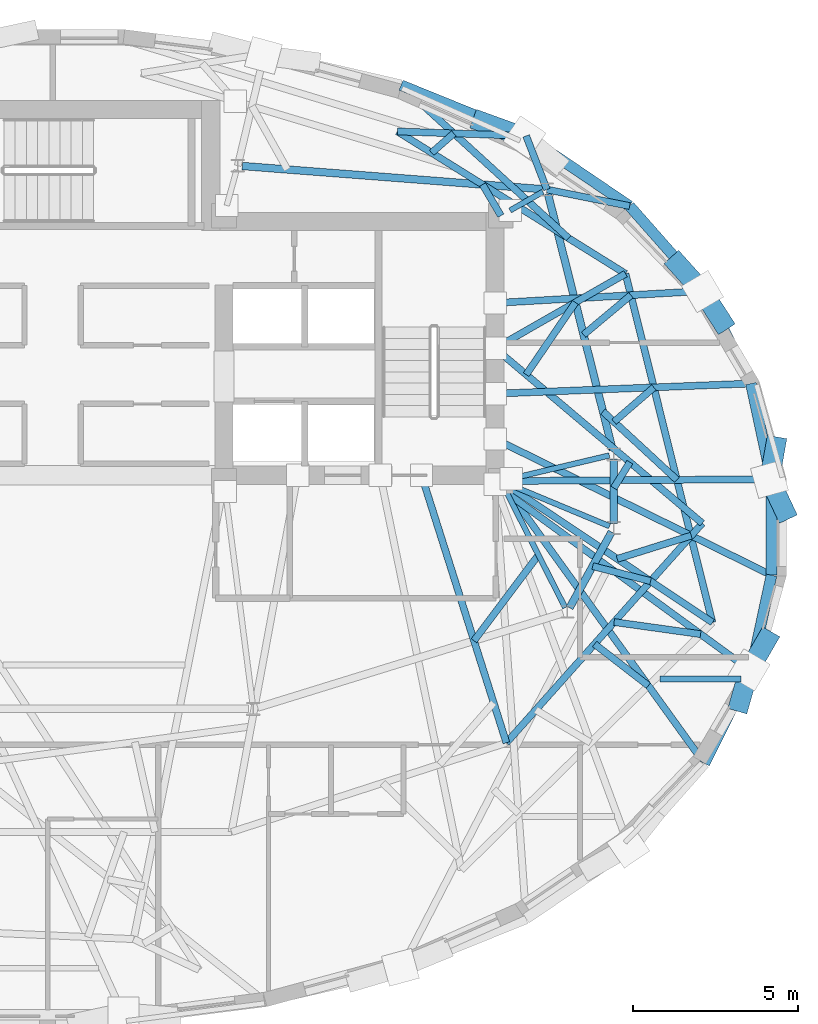
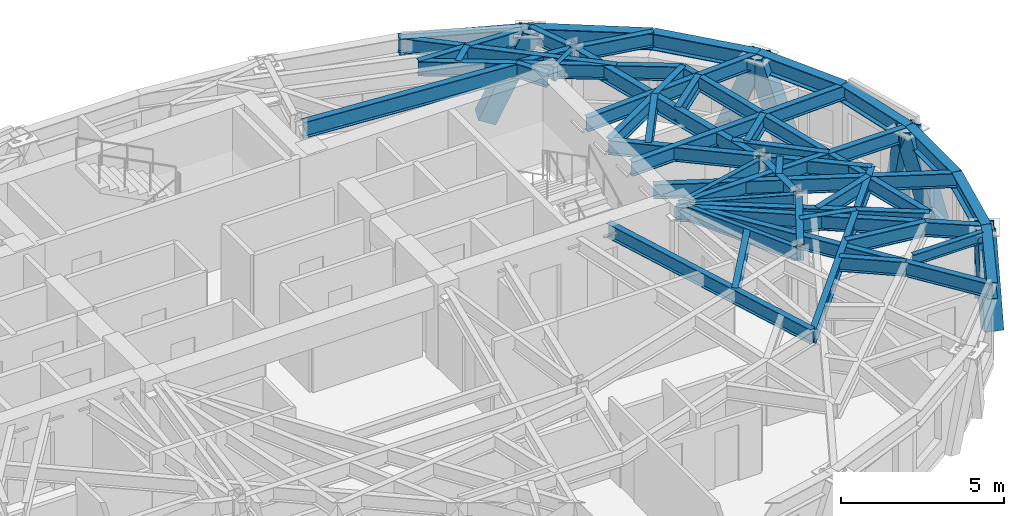
# One storey, part 4 of 13: 46 beams, 7 members.
"""IFC4 building model written with IfcOpenShell, lengths in metres."""

from ifc_helpers import new_model, si_unit, direction, frame, origin, origin_2d, place, context, subcontext, project, spatial, hollow_rectangle, i_section, extrude, material, material_profile, profile_set, type_object, element, save


model = new_model("IFC4")

# Units and contexts
model_context = context("Model", 3, precision=1e-05, world=origin(), true_north=direction((0.0, 1.0)))
body_context = subcontext(model_context, "Body", "Model", "MODEL_VIEW")
ifc_project = project(units=[si_unit("LENGTHUNIT", "METRE"), si_unit("AREAUNIT", "SQUARE_METRE"), si_unit("VOLUMEUNIT", "CUBIC_METRE"), si_unit("PLANEANGLEUNIT", "RADIAN"), si_unit("MASSUNIT", "GRAM", prefix="KILO")], contexts=[model_context])

# Site, building, storey
site_placement = place(None, origin())
site = spatial("IfcSite", under=ifc_project, at=site_placement, CompositionType="ELEMENT")
building_placement = place(site_placement, origin())
building = spatial("IfcBuilding", under=site, at=building_placement, Name="Keldmark Tower", CompositionType="ELEMENT")
storey_placement = place(building_placement, frame((0.0, 0.0, 232.050048828125)))
storey = spatial("IfcBuildingStorey", under=building, at=storey_placement, Name="L65", CompositionType="ELEMENT", Elevation=232.050048828125)

# Beam
ifc_material_1 = material(Name="Steel ASTM A992 Grade 50", Category="steel")
ifc_material_profile_1 = material_profile(ifc_material_1, i_section(OverallWidth=0.177978515625, OverallDepth=0.403076171875, WebThickness=0.007568359375, FlangeThickness=0.010986328125, at=origin_2d()), Name="W16X36")
ifc_profile_set_1 = profile_set([ifc_material_profile_1], Name="Steel ASTM A992 Grade 50")
beam_type_1 = type_object("IfcBeamType", Name="Composite Floor Joist W16X36", PredefinedType="JOIST", material=ifc_profile_set_1)
beam_1_placement = place(storey_placement, frame((18.422607421875, -4.60009765625, 2.7685546875), z_axis=(1.0, 0.0, 0.0), x_axis=(0.0, 1.0, 0.0)))
element("IfcBeam", 1, at=beam_1_placement, inside=storey, type_object=beam_type_1, Name="L65 Composite Floor Joist J05", PredefinedType="JOIST", context=body_context, shape_type="SweptSolid", body=[
    extrude(i_section(OverallWidth=0.177978515625, OverallDepth=0.403076171875, WebThickness=0.007568359375, FlangeThickness=0.010986328125, at=origin_2d()), origin(), (0.0, 0.0, 1.0), 2.466796875),
])

# Members
ifc_material_2 = material(Name="Steel ASTM A572 Grade 50", Category="steel")
ifc_material_profile_2 = material_profile(ifc_material_2, hollow_rectangle(XDim=0.60009765625, YDim=0.60009765625, WallThickness=0.034912109375, at=origin_2d()), Name="BOX600X600X35")
ifc_profile_set_2 = profile_set([ifc_material_profile_2], Name="Steel ASTM A572 Grade 50")
member_type = type_object("IfcMemberType", Name="Diagrid Zone 4 Brace BOX600X600X35", PredefinedType="BRACE", material=ifc_profile_set_2)
member_1_placement = place(storey_placement, frame((21.9287109375, 2.455810546875, -0.260009765625), z_axis=(-0.054747909819, -0.307080578642, 0.950107459497), x_axis=(0.984476308416, -0.175517515273, 0.0)))
element("IfcMember", 2, at=member_1_placement, inside=storey, type_object=member_type, Name="L65 Perimeter Diagrid Brace 01A", PredefinedType="BRACE", context=body_context, shape_type="SweptSolid", body=[
    extrude(hollow_rectangle(XDim=0.60009765625, YDim=0.60009765625, WallThickness=0.034912109375, at=origin_2d()), origin(), (0.0, 0.0, 1.0), 3.273193359375),
])
member_2_placement = place(storey_placement, frame((20.3017578125, 6.241455078125, -0.260009765625), z_axis=(-0.177536205333, 0.27594495407, 0.944634997298), x_axis=(-0.840980150857, -0.541065971823, 0.0)))
element("IfcMember", 3, at=member_2_placement, inside=storey, type_object=member_type, Name="L65 Perimeter Diagrid Brace 01B", PredefinedType="BRACE", context=body_context, shape_type="SweptSolid", body=[
    extrude(hollow_rectangle(XDim=0.60009765625, YDim=0.60009765625, WallThickness=0.034912109375, at=origin_2d()), origin(), (0.0, 0.0, 1.0), 3.292236328125),
])
member_3_placement = place(storey_placement, frame((18.958251953125, 7.98828125, -0.260009765625), z_axis=(0.230438966078, -0.256379009589, 0.938705324559), x_axis=(0.743729809907, 0.668480343656, 0.0)))
element("IfcMember", 4, at=member_3_placement, inside=storey, type_object=member_type, Name="L65 Perimeter Diagrid Brace 02A", PredefinedType="BRACE", context=body_context, shape_type="SweptSolid", body=[
    extrude(hollow_rectangle(XDim=0.60009765625, YDim=0.60009765625, WallThickness=0.034912109375, at=origin_2d()), origin(), (0.0, 0.0, 1.0), 3.31298828125),
])
member_4_placement = place(storey_placement, frame((13.013916015625, 12.30029296875, -0.260009765625), z_axis=(0.3853766859, -0.139844048228, 0.912101119471), x_axis=(0.341111913508, 0.940022692525, 0.0)))
element("IfcMember", 5, at=member_4_placement, inside=storey, type_object=member_type, Name="L65 Perimeter Diagrid Brace 03A", PredefinedType="BRACE", context=body_context, shape_type="SweptSolid", body=[
    extrude(hollow_rectangle(XDim=0.60009765625, YDim=0.60009765625, WallThickness=0.034912109375, at=origin_2d()), origin(), (0.0, 0.0, 1.0), 3.40966796875),
])
member_5_placement = place(storey_placement, frame((20.849853515625, -5.306884765625, -0.260009765625), z_axis=(0.086104928062, 0.298755746934, 0.950437238873), x_axis=(-0.960887473413, 0.276939096983, 0.0)))
element("IfcMember", 6, at=member_5_placement, inside=storey, type_object=member_type, Name="L65 Perimeter Diagrid Brace 15B", PredefinedType="BRACE", context=body_context, shape_type="SweptSolid", body=[
    extrude(hollow_rectangle(XDim=0.60009765625, YDim=0.60009765625, WallThickness=0.034912109375, at=origin_2d()), origin(), (0.0, 0.0, 1.0), 3.27197265625),
])
member_6_placement = place(storey_placement, frame((21.659912109375, -3.419189453125, -0.260009765625), z_axis=(-0.162076790488, -0.280180409589, 0.946165974905), x_axis=(0.865604293253, -0.500728676532, 0.0)))
element("IfcMember", 7, at=member_6_placement, inside=storey, type_object=member_type, Name="L65 Perimeter Diagrid Brace 16A", PredefinedType="BRACE", context=body_context, shape_type="SweptSolid", body=[
    extrude(hollow_rectangle(XDim=0.60009765625, YDim=0.60009765625, WallThickness=0.034912109375, at=origin_2d()), origin(), (0.0, 0.0, 1.0), 3.286865234375),
])
member_7_placement = place(storey_placement, frame((22.19970703125, 0.50146484375, -0.260009765625), z_axis=(-0.13700703102, 0.292440170333, 0.9464184171), x_axis=(-0.905547333127, -0.424245244483, 0.0)))
element("IfcMember", 8, at=member_7_placement, inside=storey, type_object=member_type, Name="L65 Perimeter Diagrid Brace 16B", PredefinedType="BRACE", context=body_context, shape_type="SweptSolid", body=[
    extrude(hollow_rectangle(XDim=0.60009765625, YDim=0.60009765625, WallThickness=0.034912109375, at=origin_2d()), origin(), (0.0, 0.0, 1.0), 3.285888671875),
])

# Beams
ifc_material_3 = material(Name="Steel ASTM A992 Grade 50", Category="steel")
ifc_material_profile_3 = material_profile(ifc_material_3, i_section(OverallWidth=0.22802734375, OverallDepth=0.60302734375, WebThickness=0.010498046875, FlangeThickness=0.014892578125, at=origin_2d()), Name="W24X68")
ifc_profile_set_3 = profile_set([ifc_material_profile_3], Name="Steel ASTM A992 Grade 50")
beam_type_2 = type_object("IfcBeamType", Name="Primary Floor Girder W24X68", PredefinedType="BEAM", material=ifc_profile_set_3)
beam_2_placement = place(storey_placement, frame((16.9912109375, 2.34375, 2.66845703125), z_axis=(-0.244902129455, 0.969547805417, 0.0), x_axis=(-0.969547805417, -0.244902129455, 0.0)))
element("IfcBeam", 9, at=beam_2_placement, inside=storey, type_object=beam_type_2, Name="L65 Floor Ring Girder FG-R01", PredefinedType="BEAM", context=body_context, shape_type="SweptSolid", body=[
    extrude(i_section(OverallWidth=0.22802734375, OverallDepth=0.60302734375, WebThickness=0.010498046875, FlangeThickness=0.014892578125, at=origin_2d()), origin(), (0.0, 0.0, 1.0), 8.008056640625),
])
beam_3_placement = place(storey_placement, frame((14.856201171875, 10.25439453125, 2.66845703125), z_axis=(-0.997037147832, 0.076921556421, 0.0), x_axis=(-0.076921556421, -0.997037147832, 0.0)))
element("IfcBeam", 10, at=beam_3_placement, inside=storey, type_object=beam_type_2, Name="L65 Floor Ring Girder FG-R02", PredefinedType="BEAM", context=body_context, shape_type="SweptSolid", body=[
    extrude(i_section(OverallWidth=0.22802734375, OverallDepth=0.60302734375, WebThickness=0.010498046875, FlangeThickness=0.014892578125, at=origin_2d()), origin(), (0.0, 0.0, 1.0), 9.125),
])
beam_4_placement = place(storey_placement, frame((15.68408203125, -2.44482421875, 2.66845703125), z_axis=(0.484719680408, 0.874669555561, 0.0), x_axis=(-0.874669555561, 0.484719680408, 0.0)))
element("IfcBeam", 11, at=beam_4_placement, inside=storey, type_object=beam_type_2, Name="L65 Floor Ring Girder FG-R11", PredefinedType="BEAM", context=body_context, shape_type="SweptSolid", body=[
    extrude(i_section(OverallWidth=0.22802734375, OverallDepth=0.60302734375, WebThickness=0.010498046875, FlangeThickness=0.014892578125, at=origin_2d()), origin(), (0.0, 0.0, 1.0), 2.627685546875),
])
beam_5_placement = place(storey_placement, frame((17.025634765625, 0.115966796875, 2.66845703125), z_axis=(0.0, 1.0, 0.0), x_axis=(-1.0, 0.0, 0.0)))
element("IfcBeam", 12, at=beam_5_placement, inside=storey, type_object=beam_type_2, Name="L65 Floor Ring Girder FG-R12", PredefinedType="BEAM", context=body_context, shape_type="SweptSolid", body=[
    extrude(i_section(OverallWidth=0.22802734375, OverallDepth=0.60302734375, WebThickness=0.010498046875, FlangeThickness=0.014892578125, at=origin_2d()), origin(), (0.0, 0.0, 1.0), 1.9521484375),
])
ifc_material_4 = material(Name="Steel ASTM A992 Grade 50", Category="steel")
ifc_material_profile_4 = material_profile(ifc_material_4, i_section(OverallWidth=0.166015625, OverallDepth=0.529052734375, WebThickness=0.009765625, FlangeThickness=0.013671875, at=origin_2d()), Name="W21X50")
ifc_profile_set_4 = profile_set([ifc_material_profile_4], Name="Steel ASTM A992 Grade 50")
beam_type_3 = type_object("IfcBeamType", Name="Radial Tie Girder W21X50", PredefinedType="BEAM", material=ifc_profile_set_4)
beam_6_placement = place(storey_placement, frame((16.889404296875, 2.17578125, 2.70556640625), z_axis=(-0.97329039005, -0.229577474147, 0.0), x_axis=(0.229577474147, -0.97329039005, 0.0)))
element("IfcBeam", 13, at=beam_6_placement, inside=storey, type_object=beam_type_3, Name="L65 Floor Radial Girder FG-C01", PredefinedType="BEAM", context=body_context, shape_type="SweptSolid", body=[
    extrude(i_section(OverallWidth=0.166015625, OverallDepth=0.529052734375, WebThickness=0.009765625, FlangeThickness=0.013671875, at=origin_2d()), origin(), (0.0, 0.0, 1.0), 3.0595703125),
])
beam_7_placement = place(storey_placement, frame((14.8740234375, 10.174560546875, 2.70556640625), z_axis=(-0.869238046195, -0.494393789451, 0.0), x_axis=(0.494393789451, -0.869238046195, 0.0)))
element("IfcBeam", 14, at=beam_7_placement, inside=storey, type_object=beam_type_3, Name="L65 Floor Radial Girder FG-C02", PredefinedType="BEAM", context=body_context, shape_type="SweptSolid", body=[
    extrude(i_section(OverallWidth=0.166015625, OverallDepth=0.529052734375, WebThickness=0.009765625, FlangeThickness=0.013671875, at=origin_2d()), origin(), (0.0, 0.0, 1.0), 1.145751953125),
])
beam_8_placement = place(storey_placement, frame((15.552734375, -2.442626953125, 2.70556640625), z_axis=(-0.453004410574, 0.89150827478, 0.0), x_axis=(-0.89150827478, -0.453004410574, 0.0)))
element("IfcBeam", 15, at=beam_8_placement, inside=storey, type_object=beam_type_3, Name="L65 Floor Radial Girder FG-C11", PredefinedType="BEAM", context=body_context, shape_type="SweptSolid", body=[
    extrude(i_section(OverallWidth=0.166015625, OverallDepth=0.529052734375, WebThickness=0.009765625, FlangeThickness=0.013671875, at=origin_2d()), origin(), (0.0, 0.0, 1.0), 3.990234375),
])
beam_9_placement = place(storey_placement, frame((16.896240234375, 0.02978515625, 2.70556640625), z_axis=(-0.923403331902, 0.383831065226, 0.0), x_axis=(-0.383831065226, -0.923403331902, 0.0)))
element("IfcBeam", 16, at=beam_9_placement, inside=storey, type_object=beam_type_3, Name="L65 Floor Radial Girder FG-C12", PredefinedType="BEAM", context=body_context, shape_type="SweptSolid", body=[
    extrude(i_section(OverallWidth=0.166015625, OverallDepth=0.529052734375, WebThickness=0.009765625, FlangeThickness=0.013671875, at=origin_2d()), origin(), (0.0, 0.0, 1.0), 3.249755859375),
])
ifc_material_5 = material(Name="Steel ASTM A992 Grade 50", Category="steel")
ifc_material_profile_5 = material_profile(ifc_material_5, i_section(OverallWidth=0.2099609375, OverallDepth=0.537109375, WebThickness=0.010986328125, FlangeThickness=0.017333984375, at=origin_2d()), Name="W21X68")
ifc_profile_set_5 = profile_set([ifc_material_profile_5], Name="Steel ASTM A992 Grade 50")
beam_type_4 = type_object("IfcBeamType", Name="Radial Tie Girder W21X68", PredefinedType="BEAM", material=ifc_profile_set_5)
beam_10_placement = place(storey_placement, frame((14.7392578125, -0.841796875, 2.701416015625), z_axis=(-0.600792057917, -0.799405343455, 0.0), x_axis=(0.799405343455, -0.600792057917, 0.0)))
element("IfcBeam", 17, at=beam_10_placement, inside=storey, type_object=beam_type_4, Name="L65 Framing Pin Header PH-005", PredefinedType="BEAM", context=body_context, shape_type="SweptSolid", body=[
    extrude(i_section(OverallWidth=0.2099609375, OverallDepth=0.537109375, WebThickness=0.010986328125, FlangeThickness=0.017333984375, at=origin_2d()), origin(), (0.0, 0.0, 1.0), 3.253662109375),
])
beam_11_placement = place(storey_placement, frame((11.19287109375, 1.574951171875, 2.701416015625), z_axis=(0.3023360028, -0.953201417021, 0.0), x_axis=(0.953201417021, 0.3023360028, 0.0)))
element("IfcBeam", 18, at=beam_11_placement, inside=storey, type_object=beam_type_4, Name="L65 Sub-Ring Step Girder STP1-M11", PredefinedType="BEAM", context=body_context, shape_type="SweptSolid", body=[
    extrude(i_section(OverallWidth=0.2099609375, OverallDepth=0.537109375, WebThickness=0.010986328125, FlangeThickness=0.017333984375, at=origin_2d()), origin(), (0.0, 0.0, 1.0), 8.514404296875),
])
beam_12_placement = place(storey_placement, frame((17.025634765625, 1.189697265625, 2.701416015625), z_axis=(0.527856749406, 0.849333416337, 0.0), x_axis=(-0.849333416337, 0.527856749406, 0.0)))
element("IfcBeam", 19, at=beam_12_placement, inside=storey, type_object=beam_type_4, Name="L65 Framing Pin Header PH-006", PredefinedType="BEAM", context=body_context, shape_type="SweptSolid", body=[
    extrude(i_section(OverallWidth=0.2099609375, OverallDepth=0.537109375, WebThickness=0.010986328125, FlangeThickness=0.017333984375, at=origin_2d()), origin(), (0.0, 0.0, 1.0), 0.922607421875),
])
beam_13_placement = place(storey_placement, frame((13.425048828125, 5.425048828125, 2.701416015625), z_axis=(0.764059179504, -0.645146161901, 0.0), x_axis=(0.645146161901, 0.764059179504, 0.0)))
element("IfcBeam", 20, at=beam_13_placement, inside=storey, type_object=beam_type_4, Name="L65 Sub-Ring Step Girder STP1-M12", PredefinedType="BEAM", context=body_context, shape_type="SweptSolid", body=[
    extrude(i_section(OverallWidth=0.2099609375, OverallDepth=0.537109375, WebThickness=0.010986328125, FlangeThickness=0.017333984375, at=origin_2d()), origin(), (0.0, 0.0, 1.0), 8.224609375),
])
beam_14_placement = place(storey_placement, frame((13.76708984375, -6.541015625, 2.701416015625), z_axis=(0.665753182489, 0.746172031107, 0.0), x_axis=(-0.746172031107, 0.665753182489, 0.0)))
element("IfcBeam", 21, at=beam_14_placement, inside=storey, type_object=beam_type_4, Name="L65 Perimeter Collector Ring Beam CRG1-M11", PredefinedType="BEAM", context=body_context, shape_type="SweptSolid", body=[
    extrude(i_section(OverallWidth=0.2099609375, OverallDepth=0.537109375, WebThickness=0.010986328125, FlangeThickness=0.017333984375, at=origin_2d()), origin(), (0.0, 0.0, 1.0), 8.925537109375),
])
beam_15_placement = place(storey_placement, frame((14.36767578125, 4.629150390625, 2.701416015625), z_axis=(0.563534054142, 0.826092833659, 0.0), x_axis=(-0.826092833659, 0.563534054142, 0.0)))
element("IfcBeam", 22, at=beam_15_placement, inside=storey, type_object=beam_type_4, Name="L65 Framing Pin Header PH-007", PredefinedType="BEAM", context=body_context, shape_type="SweptSolid", body=[
    extrude(i_section(OverallWidth=0.2099609375, OverallDepth=0.537109375, WebThickness=0.010986328125, FlangeThickness=0.017333984375, at=origin_2d()), origin(), (0.0, 0.0, 1.0), 2.650146484375),
])
beam_16_placement = place(storey_placement, frame((13.425048828125, 5.425048828125, 2.701416015625), z_axis=(0.86802883887, 0.496513781168, 0.0), x_axis=(-0.496513781168, 0.86802883887, 0.0)))
element("IfcBeam", 23, at=beam_16_placement, inside=storey, type_object=beam_type_4, Name="L65 Sub-Ring Step Girder STP2-M01", PredefinedType="BEAM", context=body_context, shape_type="SweptSolid", body=[
    extrude(i_section(OverallWidth=0.2099609375, OverallDepth=0.537109375, WebThickness=0.010986328125, FlangeThickness=0.017333984375, at=origin_2d()), origin(), (0.0, 0.0, 1.0), 4.55859375),
])
beam_17_placement = place(storey_placement, frame((16.384521484375, -1.180908203125, 2.701416015625), z_axis=(0.967879454201, -0.2514147214, 0.0), x_axis=(0.2514147214, 0.967879454201, 0.0)))
element("IfcBeam", 24, at=beam_17_placement, inside=storey, type_object=beam_type_4, Name="L65 Framing Pin Header PH-012", PredefinedType="BEAM", context=body_context, shape_type="SweptSolid", body=[
    extrude(i_section(OverallWidth=0.2099609375, OverallDepth=0.537109375, WebThickness=0.010986328125, FlangeThickness=0.017333984375, at=origin_2d()), origin(), (0.0, 0.0, 1.0), 1.81591796875),
])
beam_18_placement = place(storey_placement, frame((13.60009765625, 1.39990234375, 2.701416015625), z_axis=(0.831256362495, -0.555889251391, 0.0), x_axis=(0.555889251391, 0.831256362495, 0.0)))
element("IfcBeam", 25, at=beam_18_placement, inside=storey, type_object=beam_type_4, Name="L65 Sub-Ring Step Girder STP2-M12", PredefinedType="BEAM", context=body_context, shape_type="SweptSolid", body=[
    extrude(i_section(OverallWidth=0.2099609375, OverallDepth=0.537109375, WebThickness=0.010986328125, FlangeThickness=0.017333984375, at=origin_2d()), origin(), (0.0, 0.0, 1.0), 7.7197265625),
])
beam_19_placement = place(storey_placement, frame((20.01708984375, -2.891357421875, 2.701416015625), z_axis=(-0.241676731391, 0.970356819682, 0.0), x_axis=(-0.970356819682, -0.241676731391, 0.0)))
element("IfcBeam", 26, at=beam_19_placement, inside=storey, type_object=beam_type_4, Name="L65 Perimeter Collector Ring Beam CRG2-M12", PredefinedType="BEAM", context=body_context, shape_type="SweptSolid", body=[
    extrude(i_section(OverallWidth=0.2099609375, OverallDepth=0.537109375, WebThickness=0.010986328125, FlangeThickness=0.017333984375, at=origin_2d()), origin(), (0.0, 0.0, 1.0), 10.903076171875),
])
beam_20_placement = place(storey_placement, frame((16.697021484375, 3.50830078125, 2.701416015625), z_axis=(0.734505952671, -0.678602243948, 0.0), x_axis=(0.678602243948, 0.734505952671, 0.0)))
element("IfcBeam", 27, at=beam_20_placement, inside=storey, type_object=beam_type_4, Name="L65 Framing Pin Header PH-013", PredefinedType="BEAM", context=body_context, shape_type="SweptSolid", body=[
    extrude(i_section(OverallWidth=0.2099609375, OverallDepth=0.537109375, WebThickness=0.010986328125, FlangeThickness=0.017333984375, at=origin_2d()), origin(), (0.0, 0.0, 1.0), 3.052734375),
])
beam_21_placement = place(storey_placement, frame((13.60009765625, 1.39990234375, 2.701416015625), z_axis=(0.999976198415, 0.006899464031, 0.0), x_axis=(-0.006899464031, 0.999976198415, 0.0)))
element("IfcBeam", 28, at=beam_21_placement, inside=storey, type_object=beam_type_4, Name="L65 Perimeter Radial Tie Girder RT-01", PredefinedType="BEAM", context=body_context, shape_type="SweptSolid", body=[
    extrude(i_section(OverallWidth=0.2099609375, OverallDepth=0.537109375, WebThickness=0.010986328125, FlangeThickness=0.017333984375, at=origin_2d()), origin(), (0.0, 0.0, 1.0), 8.20947265625),
])
beam_22_placement = place(storey_placement, frame((17.033447265625, 3.197509765625, 2.701416015625), z_axis=(0.756571819004, 0.653910607568, 0.0), x_axis=(-0.653910607568, 0.756571819004, 0.0)))
element("IfcBeam", 29, at=beam_22_placement, inside=storey, type_object=beam_type_4, Name="L65 Framing Pin Header PH-014", PredefinedType="BEAM", context=body_context, shape_type="SweptSolid", body=[
    extrude(i_section(OverallWidth=0.2099609375, OverallDepth=0.537109375, WebThickness=0.010986328125, FlangeThickness=0.017333984375, at=origin_2d()), origin(), (0.0, 0.0, 1.0), 1.595703125),
])
beam_23_placement = place(storey_placement, frame((13.425048828125, 4.050048828125, 2.701416015625), z_axis=(0.999215108234, 0.039612718635, 0.0), x_axis=(-0.039612718635, 0.999215108234, 0.0)))
element("IfcBeam", 30, at=beam_23_placement, inside=storey, type_object=beam_type_4, Name="L65 Perimeter Radial Tie Girder RT-02", PredefinedType="BEAM", context=body_context, shape_type="SweptSolid", body=[
    extrude(i_section(OverallWidth=0.2099609375, OverallDepth=0.537109375, WebThickness=0.010986328125, FlangeThickness=0.017333984375, at=origin_2d()), origin(), (0.0, 0.0, 1.0), 7.765625),
])
beam_24_placement = place(storey_placement, frame((16.10888671875, 5.837646484375, 2.701416015625), z_axis=(0.766957773251, 0.641697572108, 0.0), x_axis=(-0.641697572108, 0.766957773251, 0.0)))
element("IfcBeam", 31, at=beam_24_placement, inside=storey, type_object=beam_type_4, Name="L65 Framing Pin Header PH-015", PredefinedType="BEAM", context=body_context, shape_type="SweptSolid", body=[
    extrude(i_section(OverallWidth=0.2099609375, OverallDepth=0.537109375, WebThickness=0.010986328125, FlangeThickness=0.017333984375, at=origin_2d()), origin(), (0.0, 0.0, 1.0), 1.87109375),
])
beam_25_placement = place(storey_placement, frame((13.425048828125, 6.800048828125, 2.701416015625), z_axis=(0.998332122383, 0.057731909876, 0.0), x_axis=(-0.057731909876, 0.998332122383, 0.0)))
element("IfcBeam", 32, at=beam_25_placement, inside=storey, type_object=beam_type_4, Name="L65 Perimeter Radial Tie Girder RT-03", PredefinedType="BEAM", context=body_context, shape_type="SweptSolid", body=[
    extrude(i_section(OverallWidth=0.2099609375, OverallDepth=0.537109375, WebThickness=0.010986328125, FlangeThickness=0.017333984375, at=origin_2d()), origin(), (0.0, 0.0, 1.0), 6.360107421875),
])
beam_26_placement = place(storey_placement, frame((14.995849609375, 10.24365234375, 2.701416015625), z_axis=(0.9805513071, -0.19626292096, 0.0), x_axis=(0.19626292096, 0.9805513071, 0.0)))
element("IfcBeam", 33, at=beam_26_placement, inside=storey, type_object=beam_type_4, Name="L65 Perimeter Column Bracket RT-04", PredefinedType="BEAM", context=body_context, shape_type="SweptSolid", body=[
    extrude(i_section(OverallWidth=0.2099609375, OverallDepth=0.537109375, WebThickness=0.010986328125, FlangeThickness=0.017333984375, at=origin_2d()), origin(), (0.0, 0.0, 1.0), 2.558837890625),
])
beam_27_placement = place(storey_placement, frame((14.995849609375, 10.24365234375, 2.701416015625), z_axis=(-0.361135466813, 0.932513364306, 0.0), x_axis=(-0.932513364306, -0.361135466813, 0.0)))
element("IfcBeam", 34, at=beam_27_placement, inside=storey, type_object=beam_type_4, Name="L65 Perimeter Column Bracket RT-05", PredefinedType="BEAM", context=body_context, shape_type="SweptSolid", body=[
    extrude(i_section(OverallWidth=0.2099609375, OverallDepth=0.537109375, WebThickness=0.010986328125, FlangeThickness=0.017333984375, at=origin_2d()), origin(), (0.0, 0.0, 1.0), 1.744140625),
])
beam_28_placement = place(storey_placement, frame((13.60009765625, 9.449951171875, 2.701416015625), z_axis=(-0.507136973213, 0.861865471173, 0.0), x_axis=(-0.861865471173, -0.507136973213, 0.0)))
element("IfcBeam", 35, at=beam_28_placement, inside=storey, type_object=beam_type_4, Name="L65 Framing Pin Header PH-016", PredefinedType="BEAM", context=body_context, shape_type="SweptSolid", body=[
    extrude(i_section(OverallWidth=0.2099609375, OverallDepth=0.537109375, WebThickness=0.010986328125, FlangeThickness=0.017333984375, at=origin_2d()), origin(), (0.0, 0.0, 1.0), 1.095703125),
])
beam_29_placement = place(storey_placement, frame((17.382080078125, 7.6884765625, 2.701416015625), z_axis=(-0.84845368143, 0.529269638717, 0.0), x_axis=(-0.529269638717, -0.84845368143, 0.0)))
element("IfcBeam", 36, at=beam_29_placement, inside=storey, type_object=beam_type_4, Name="L65 Intermediate Radial Step Girder RT-06M", PredefinedType="BEAM", context=body_context, shape_type="SweptSolid", body=[
    extrude(i_section(OverallWidth=0.2099609375, OverallDepth=0.537109375, WebThickness=0.010986328125, FlangeThickness=0.017333984375, at=origin_2d()), origin(), (0.0, 0.0, 1.0), 8.15673828125),
])
beam_30_placement = place(storey_placement, frame((14.365966796875, 11.8701171875, 2.701416015625), z_axis=(-0.999398405226, 0.034681805471, 0.0), x_axis=(-0.034681805471, -0.999398405226, 0.0)))
element("IfcBeam", 37, at=beam_30_placement, inside=storey, type_object=beam_type_4, Name="L65 Local Collector Chord RT-06C", PredefinedType="BEAM", context=body_context, shape_type="SweptSolid", body=[
    extrude(i_section(OverallWidth=0.2099609375, OverallDepth=0.537109375, WebThickness=0.010986328125, FlangeThickness=0.017333984375, at=origin_2d()), origin(), (0.0, 0.0, 1.0), 3.906982421875),
])
beam_31_placement = place(storey_placement, frame((11.49951171875, 11.35791015625, 2.701416015625), z_axis=(0.75255976066, 0.658523960563, 0.0), x_axis=(-0.658523960563, 0.75255976066, 0.0)))
element("IfcBeam", 38, at=beam_31_placement, inside=storey, type_object=beam_type_4, Name="L65 Framing Pin Header PH-017", PredefinedType="BEAM", context=body_context, shape_type="SweptSolid", body=[
    extrude(i_section(OverallWidth=0.2099609375, OverallDepth=0.537109375, WebThickness=0.010986328125, FlangeThickness=0.017333984375, at=origin_2d()), origin(), (0.0, 0.0, 1.0), 0.89306640625),
])
beam_32_placement = place(storey_placement, frame((15.652099609375, 8.767578125, 2.701416015625), z_axis=(-0.738394104317, 0.674369443785, 0.0), x_axis=(-0.674369443785, -0.738394104317, 0.0)))
element("IfcBeam", 39, at=beam_32_placement, inside=storey, type_object=beam_type_4, Name="L65 Perimeter Radial Tie Girder RT-06", PredefinedType="BEAM", context=body_context, shape_type="SweptSolid", body=[
    extrude(i_section(OverallWidth=0.2099609375, OverallDepth=0.537109375, WebThickness=0.010986328125, FlangeThickness=0.017333984375, at=origin_2d()), origin(), (0.0, 0.0, 1.0), 6.8828125),
])
beam_33_placement = place(storey_placement, frame((16.441162109375, -3.5439453125, 2.701416015625), z_axis=(0.790897277524, -0.611948932841, 0.0), x_axis=(0.611948932841, 0.790897277524, 0.0)))
element("IfcBeam", 40, at=beam_33_placement, inside=storey, type_object=beam_type_4, Name="L65 Framing Pin Header PH-035", PredefinedType="BEAM", context=body_context, shape_type="SweptSolid", body=[
    extrude(i_section(OverallWidth=0.2099609375, OverallDepth=0.537109375, WebThickness=0.010986328125, FlangeThickness=0.017333984375, at=origin_2d()), origin(), (0.0, 0.0, 1.0), 2.064208984375),
])
beam_34_placement = place(storey_placement, frame((13.60009765625, 1.39990234375, 2.701416015625), z_axis=(0.584692608254, -0.811254925318, 0.0), x_axis=(0.811254925318, 0.584692608254, 0.0)))
element("IfcBeam", 41, at=beam_34_placement, inside=storey, type_object=beam_type_4, Name="L65 Perimeter Radial Tie Girder RT-30", PredefinedType="BEAM", context=body_context, shape_type="SweptSolid", body=[
    extrude(i_section(OverallWidth=0.2099609375, OverallDepth=0.537109375, WebThickness=0.010986328125, FlangeThickness=0.017333984375, at=origin_2d()), origin(), (0.0, 0.0, 1.0), 10.560302734375),
])
beam_35_placement = place(storey_placement, frame((17.035400390625, -2.8779296875, 2.701416015625), z_axis=(0.990356423004, -0.138542973173, 0.0), x_axis=(0.138542973173, 0.990356423004, 0.0)))
element("IfcBeam", 42, at=beam_35_placement, inside=storey, type_object=beam_type_4, Name="L65 Framing Pin Header PH-036", PredefinedType="BEAM", context=body_context, shape_type="SweptSolid", body=[
    extrude(i_section(OverallWidth=0.2099609375, OverallDepth=0.537109375, WebThickness=0.010986328125, FlangeThickness=0.017333984375, at=origin_2d()), origin(), (0.0, 0.0, 1.0), 2.648681640625),
])
beam_36_placement = place(storey_placement, frame((13.425048828125, 1.300048828125, 2.701416015625), z_axis=(0.808020893501, -0.589153830223, 0.0), x_axis=(0.589153830223, 0.808020893501, 0.0)))
element("IfcBeam", 43, at=beam_36_placement, inside=storey, type_object=beam_type_4, Name="L65 Perimeter Radial Tie Girder RT-31", PredefinedType="BEAM", context=body_context, shape_type="SweptSolid", body=[
    extrude(i_section(OverallWidth=0.2099609375, OverallDepth=0.537109375, WebThickness=0.010986328125, FlangeThickness=0.017333984375, at=origin_2d()), origin(), (0.0, 0.0, 1.0), 9.60302734375),
])
beam_37_placement = place(storey_placement, frame((17.12939453125, -0.960205078125, 2.701416015625), z_axis=(0.954226655975, 0.299084417892, 0.0), x_axis=(-0.299084417892, 0.954226655975, 0.0)))
element("IfcBeam", 44, at=beam_37_placement, inside=storey, type_object=beam_type_4, Name="L65 Framing Pin Header PH-037", PredefinedType="BEAM", context=body_context, shape_type="SweptSolid", body=[
    extrude(i_section(OverallWidth=0.2099609375, OverallDepth=0.537109375, WebThickness=0.010986328125, FlangeThickness=0.017333984375, at=origin_2d()), origin(), (0.0, 0.0, 1.0), 2.3525390625),
])
beam_38_placement = place(storey_placement, frame((13.425048828125, 2.675048828125, 2.701416015625), z_axis=(0.897003254377, -0.442023937855, 0.0), x_axis=(0.442023937855, 0.897003254377, 0.0)))
element("IfcBeam", 45, at=beam_38_placement, inside=storey, type_object=beam_type_4, Name="L65 Perimeter Radial Tie Girder RT-32", PredefinedType="BEAM", context=body_context, shape_type="SweptSolid", body=[
    extrude(i_section(OverallWidth=0.2099609375, OverallDepth=0.537109375, WebThickness=0.010986328125, FlangeThickness=0.017333984375, at=origin_2d()), origin(), (0.0, 0.0, 1.0), 9.346923828125),
])
ifc_material_6 = material(Name="Steel ASTM A992 Grade 50", Category="steel")
ifc_material_profile_6 = material_profile(ifc_material_6, i_section(OverallWidth=0.326904296875, OverallDepth=0.6220703125, WebThickness=0.015380859375, FlangeThickness=0.0244140625, at=origin_2d()), Name="W24X131")
ifc_profile_set_6 = profile_set([ifc_material_profile_6], Name="Steel ASTM A992 Grade 50")
beam_type_5 = type_object("IfcBeamType", Name="Spandrel Ring Beam W24X131", PredefinedType="SPANDREL", material=ifc_profile_set_6)
beam_39_placement = place(storey_placement, frame((21.809326171875, 1.45654296875, 2.658935546875), z_axis=(-0.210523418042, 0.977588814613, 0.0), x_axis=(-0.977588814613, -0.210523418042, 0.0)))
element("IfcBeam", 46, at=beam_39_placement, inside=storey, type_object=beam_type_5, Name="L65 Perimeter Spandrel Ring Beam SRB-01", PredefinedType="SPANDREL", context=body_context, shape_type="SweptSolid", body=[
    extrude(i_section(OverallWidth=0.326904296875, OverallDepth=0.6220703125, WebThickness=0.015380859375, FlangeThickness=0.0244140625, at=origin_2d()), origin(), (0.0, 0.0, 1.0), 2.967529296875),
])
beam_40_placement = place(storey_placement, frame((21.1845703125, 4.357666015625, 2.658935546875), z_axis=(-0.448517898993, 0.89377384963, 0.0), x_axis=(-0.89377384963, -0.448517898993, 0.0)))
element("IfcBeam", 47, at=beam_40_placement, inside=storey, type_object=beam_type_5, Name="L65 Perimeter Spandrel Ring Beam SRB-02", PredefinedType="SPANDREL", context=body_context, shape_type="SweptSolid", body=[
    extrude(i_section(OverallWidth=0.326904296875, OverallDepth=0.6220703125, WebThickness=0.015380859375, FlangeThickness=0.0244140625, at=origin_2d()), origin(), (0.0, 0.0, 1.0), 3.1435546875),
])
beam_41_placement = place(storey_placement, frame((19.774658203125, 7.167236328125, 2.658935546875), z_axis=(-0.66136043846, 0.750068243855, 0.0), x_axis=(-0.750068243855, -0.66136043846, 0.0)))
element("IfcBeam", 48, at=beam_41_placement, inside=storey, type_object=beam_type_5, Name="L65 Perimeter Spandrel Ring Beam SRB-03", PredefinedType="SPANDREL", context=body_context, shape_type="SweptSolid", body=[
    extrude(i_section(OverallWidth=0.326904296875, OverallDepth=0.6220703125, WebThickness=0.015380859375, FlangeThickness=0.0244140625, at=origin_2d()), origin(), (0.0, 0.0, 1.0), 3.431884765625),
])
beam_42_placement = place(storey_placement, frame((17.5048828125, 9.741455078125, 2.658935546875), z_axis=(-0.827637036896, 0.561263694851, 0.0), x_axis=(-0.561263694851, -0.827637036896, 0.0)))
element("IfcBeam", 49, at=beam_42_placement, inside=storey, type_object=beam_type_5, Name="L65 Perimeter Spandrel Ring Beam SRB-04", PredefinedType="SPANDREL", context=body_context, shape_type="SweptSolid", body=[
    extrude(i_section(OverallWidth=0.326904296875, OverallDepth=0.6220703125, WebThickness=0.015380859375, FlangeThickness=0.0244140625, at=origin_2d()), origin(), (0.0, 0.0, 1.0), 3.792724609375),
])
beam_43_placement = place(storey_placement, frame((14.365966796875, 11.8701171875, 2.658935546875), z_axis=(-0.926731976866, 0.375723093586, 0.0), x_axis=(-0.375723093586, -0.926731976866, 0.0)))
element("IfcBeam", 50, at=beam_43_placement, inside=storey, type_object=beam_type_5, Name="L65 Perimeter Spandrel Ring Beam SRB-05", PredefinedType="SPANDREL", context=body_context, shape_type="SweptSolid", body=[
    extrude(i_section(OverallWidth=0.326904296875, OverallDepth=0.6220703125, WebThickness=0.015380859375, FlangeThickness=0.0244140625, at=origin_2d()), origin(), (0.0, 0.0, 1.0), 4.09619140625),
])
beam_44_placement = place(storey_placement, frame((19.774658203125, -7.167236328125, 2.658935546875), z_axis=(0.448517898993, 0.89377384963, 0.0), x_axis=(-0.89377384963, 0.448517898993, 0.0)))
element("IfcBeam", 51, at=beam_44_placement, inside=storey, type_object=beam_type_5, Name="L65 Perimeter Spandrel Ring Beam SRB-30", PredefinedType="SPANDREL", context=body_context, shape_type="SweptSolid", body=[
    extrude(i_section(OverallWidth=0.326904296875, OverallDepth=0.6220703125, WebThickness=0.015380859375, FlangeThickness=0.0244140625, at=origin_2d()), origin(), (0.0, 0.0, 1.0), 3.1435546875),
])
beam_45_placement = place(storey_placement, frame((21.1845703125, -4.357666015625, 2.658935546875), z_axis=(0.210523418042, 0.977588814613, 0.0), x_axis=(-0.977588814613, 0.210523418042, 0.0)))
element("IfcBeam", 52, at=beam_45_placement, inside=storey, type_object=beam_type_5, Name="L65 Perimeter Spandrel Ring Beam SRB-31", PredefinedType="SPANDREL", context=body_context, shape_type="SweptSolid", body=[
    extrude(i_section(OverallWidth=0.326904296875, OverallDepth=0.6220703125, WebThickness=0.015380859375, FlangeThickness=0.0244140625, at=origin_2d()), origin(), (0.0, 0.0, 1.0), 2.967529296875),
])
beam_46_placement = place(storey_placement, frame((21.809326171875, -1.45654296875, 2.658935546875), z_axis=(0.0, 1.0, 0.0), x_axis=(-1.0, 0.0, 0.0)))
element("IfcBeam", 53, at=beam_46_placement, inside=storey, type_object=beam_type_5, Name="L65 Perimeter Spandrel Ring Beam SRB-32", PredefinedType="SPANDREL", context=body_context, shape_type="SweptSolid", body=[
    extrude(i_section(OverallWidth=0.326904296875, OverallDepth=0.6220703125, WebThickness=0.015380859375, FlangeThickness=0.0244140625, at=origin_2d()), origin(), (0.0, 0.0, 1.0), 2.9130859375),
])

save(model, "model.ifc")
